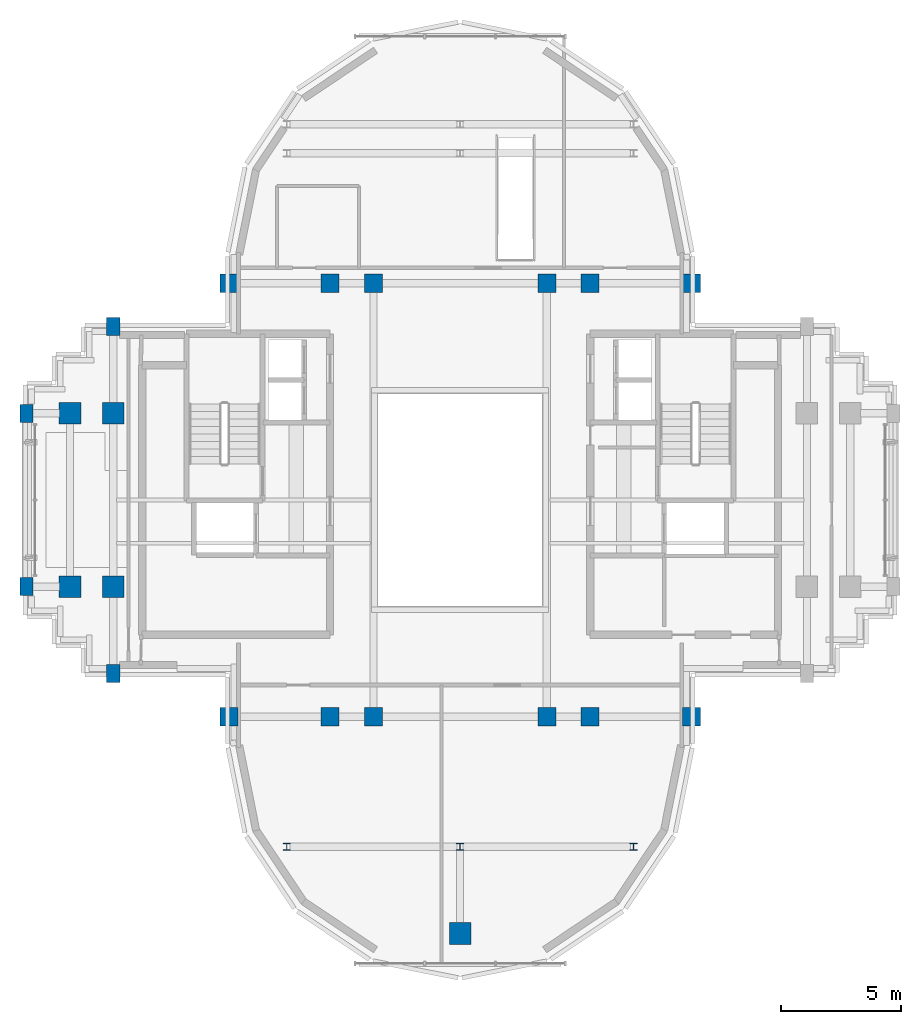
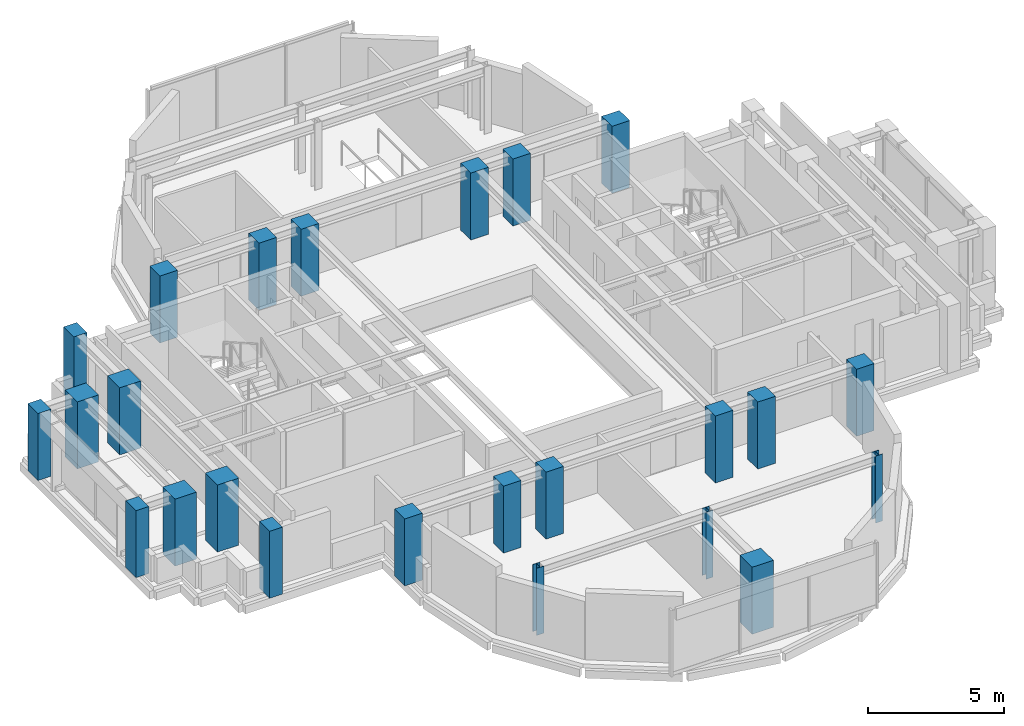
# One storey, part 1 of 12: 24 columns.
"""IFC4 building model written with IfcOpenShell, lengths in metres."""

from ifc_helpers import new_model, si_unit, direction, frame, origin, origin_2d, place, context, subcontext, project, spatial, rectangle, i_section, extrude, source, transform, mapped, material, material_profile, profile_set, type_object, element, save


model = new_model("IFC4")

# Units and contexts
model_context = context("Model", 3, precision=1e-05, world=origin(), true_north=direction((0.0, 1.0)))
body_context = subcontext(model_context, "Body", "Model", "MODEL_VIEW")
ifc_project = project(units=[si_unit("LENGTHUNIT", "METRE"), si_unit("AREAUNIT", "SQUARE_METRE"), si_unit("VOLUMEUNIT", "CUBIC_METRE"), si_unit("PLANEANGLEUNIT", "RADIAN"), si_unit("MASSUNIT", "GRAM", prefix="KILO")], contexts=[model_context])

# Site, building, storey
site_placement = place(None, origin())
site = spatial("IfcSite", under=ifc_project, at=site_placement, CompositionType="ELEMENT")
building_placement = place(site_placement, origin())
building = spatial("IfcBuilding", under=site, at=building_placement, Name="Keilestroom Media Tower", CompositionType="ELEMENT")
storey_placement = place(building_placement, frame((0.0, 0.0, 233.199951171875)))
storey = spatial("IfcBuildingStorey", under=building, at=storey_placement, Name="L64", CompositionType="ELEMENT", Elevation=233.199951171875)

# Columns
ifc_material_1 = material(Name="Precast concrete C40/50", Category="concrete")
ifc_material_profile_1 = material_profile(ifc_material_1, rectangle(XDim=0.550048828125, YDim=0.75, at=origin_2d()), Name="PC 750x550")
ifc_profile_set_1 = profile_set([ifc_material_profile_1], Name="Precast concrete C40/50")
column_type_1 = type_object("IfcColumnType", Name="Structural-Column-PC-750x550", PredefinedType="COLUMN", material=ifc_profile_set_1)
shared_shape_1 = source(origin(), body_context, "Body", "SweptSolid", [
    extrude(rectangle(XDim=0.550048828125, YDim=0.75, at=origin_2d()), origin(), (0.0, 0.0, 1.0), 3.010009765625),
])
for number, where, z_axis, x_axis, name in (
    (1, (-18.0, -3.60009765625, 0.0), (0.0, 0.0, 1.0), (1.0, 0.0, 0.0), "L64 Column PC-3 (-18.0,-3.6)"),
    (2, (-18.0, 3.60009765625, 0.0), (0.0, 0.0, 1.0), (1.0, 0.0, 0.0), "L64 Column PC-3 (-18.0,+3.6)"),
    (3, (-14.39990234375, -7.199951171875, 0.0), (0.0, 0.0, 1.0), (1.0, 0.0, 0.0), "L64 Column PC-3 (-14.4,-7.2)"),
    (4, (-14.39990234375, 7.199951171875, 0.0), (0.0, 0.0, 1.0), (1.0, 0.0, 0.0), "L64 Column PC-3 (-14.4,+7.2)"),
):
    element("IfcColumn", number, at=place(storey_placement, frame(where, z_axis=z_axis, x_axis=x_axis)), inside=storey, type_object=column_type_1, Name=name, PredefinedType="COLUMN", context=body_context, shape_type="MappedRepresentation", body=[
        mapped(shared_shape_1, transform((0.0, 0.0, 0.0), x_axis=(1.0, 0.0, 0.0), y_axis=(0.0, 1.0, 0.0), z_axis=(0.0, 0.0, 1.0), scale=1.0)),
    ])
ifc_material_2 = material(Name="Concrete C55/67", Category="concrete")
ifc_material_profile_2 = material_profile(ifc_material_2, rectangle(XDim=0.89990234375, YDim=0.89990234375, at=origin_2d()), Name="RC 900x900")
ifc_profile_set_2 = profile_set([ifc_material_profile_2], Name="Concrete C55/67")
column_type_2 = type_object("IfcColumnType", Name="Structural-Column-RC-900x900", PredefinedType="COLUMN", material=ifc_profile_set_2)
shared_shape_2 = source(origin(), body_context, "Body", "SweptSolid", [
    extrude(rectangle(XDim=0.89990234375, YDim=0.89990234375, at=origin_2d()), origin(), (0.0, 0.0, 1.0), 3.010009765625),
])
for number, where, z_axis, x_axis, name in (
    (5, (-16.199951171875, -3.60009765625, 0.0), (0.0, 0.0, 1.0), (1.0, 0.0, 0.0), "L64 Column MC-4 (-16.2,-3.6)"),
    (6, (-16.199951171875, 3.60009765625, 0.0), (0.0, 0.0, 1.0), (1.0, 0.0, 0.0), "L64 Column MC-4 (-16.2,+3.6)"),
    (7, (-14.39990234375, -3.60009765625, 0.0), (0.0, 0.0, 1.0), (1.0, 0.0, 0.0), "L64 Column MC-4 (-14.4,-3.6)"),
    (8, (-14.39990234375, 3.60009765625, 0.0), (0.0, 0.0, 1.0), (1.0, 0.0, 0.0), "L64 Column MC-4 (-14.4,+3.6)"),
    (9, (0.0, -18.0, 0.0), (0.0, 0.0, 1.0), (1.0, 0.0, 0.0), "L64 Column MC-4 (+0.0,-18.0)"),
):
    element("IfcColumn", number, at=place(storey_placement, frame(where, z_axis=z_axis, x_axis=x_axis)), inside=storey, type_object=column_type_2, Name=name, PredefinedType="COLUMN", context=body_context, shape_type="MappedRepresentation", body=[
        mapped(shared_shape_2, transform((0.0, 0.0, 0.0), x_axis=(1.0, 0.0, 0.0), y_axis=(0.0, 1.0, 0.0), z_axis=(0.0, 0.0, 1.0), scale=1.0)),
    ])
ifc_material_3 = material(Name="Concrete C50/60", Category="concrete")
ifc_material_profile_3 = material_profile(ifc_material_3, rectangle(XDim=0.75, YDim=0.75, at=origin_2d()), Name="RC 750x750")
ifc_profile_set_3 = profile_set([ifc_material_profile_3], Name="Concrete C50/60")
column_type_3 = type_object("IfcColumnType", Name="Structural-Column-RC-750x750", PredefinedType="COLUMN", material=ifc_profile_set_3)
shared_shape_3 = source(origin(), body_context, "Body", "SweptSolid", [
    extrude(rectangle(XDim=0.75, YDim=0.75, at=origin_2d()), origin(), (0.0, 0.0, 1.0), 3.010009765625),
])
for number, where, z_axis, x_axis, name in (
    (10, (-9.60009765625, -9.0, 0.0), (0.0, 0.0, 1.0), (1.0, 0.0, 0.0), "L64 Column MC-5 (-9.6,-9.0)"),
    (11, (-9.60009765625, 9.0, 0.0), (0.0, 0.0, 1.0), (1.0, 0.0, 0.0), "L64 Column MC-5 (-9.6,+9.0)"),
    (12, (-5.39990234375, -9.0, 0.0), (0.0, 0.0, 1.0), (1.0, 0.0, 0.0), "L64 Column MC-5 (-5.4,-9.0)"),
    (13, (-5.39990234375, 9.0, 0.0), (0.0, 0.0, 1.0), (1.0, 0.0, 0.0), "L64 Column MC-5 (-5.4,+9.0)"),
    (14, (-3.60009765625, -9.0, 0.0), (0.0, 0.0, 1.0), (1.0, 0.0, 0.0), "L64 Column MC-5 (-3.6,-9.0)"),
    (15, (-3.60009765625, 9.0, 0.0), (0.0, 0.0, 1.0), (1.0, 0.0, 0.0), "L64 Column MC-5 (-3.6,+9.0)"),
    (16, (3.60009765625, -9.0, 0.0), (0.0, 0.0, 1.0), (1.0, 0.0, 0.0), "L64 Column MC-5 (+3.6,-9.0)"),
    (17, (3.60009765625, 9.0, 0.0), (0.0, 0.0, 1.0), (1.0, 0.0, 0.0), "L64 Column MC-5 (+3.6,+9.0)"),
    (18, (5.39990234375, -9.0, 0.0), (0.0, 0.0, 1.0), (1.0, 0.0, 0.0), "L64 Column MC-5 (+5.4,-9.0)"),
    (19, (5.39990234375, 9.0, 0.0), (0.0, 0.0, 1.0), (1.0, 0.0, 0.0), "L64 Column MC-5 (+5.4,+9.0)"),
    (20, (9.60009765625, -9.0, 0.0), (0.0, 0.0, 1.0), (1.0, 0.0, 0.0), "L64 Column MC-5 (+9.6,-9.0)"),
    (21, (9.60009765625, 9.0, 0.0), (0.0, 0.0, 1.0), (1.0, 0.0, 0.0), "L64 Column MC-5 (+9.6,+9.0)"),
):
    element("IfcColumn", number, at=place(storey_placement, frame(where, z_axis=z_axis, x_axis=x_axis)), inside=storey, type_object=column_type_3, Name=name, PredefinedType="COLUMN", context=body_context, shape_type="MappedRepresentation", body=[
        mapped(shared_shape_3, transform((0.0, 0.0, 0.0), x_axis=(1.0, 0.0, 0.0), y_axis=(0.0, 1.0, 0.0), z_axis=(0.0, 0.0, 1.0), scale=1.0)),
    ])
ifc_material_4 = material(Name="Steel S355", Category="steel")
ifc_material_profile_4 = material_profile(ifc_material_4, i_section(OverallWidth=0.300048828125, OverallDepth=0.300048828125, WebThickness=0.010986328125, FlangeThickness=0.01904296875, at=origin_2d()), Name="HEB 300")
ifc_profile_set_4 = profile_set([ifc_material_profile_4], Name="Steel S355")
column_type_4 = type_object("IfcColumnType", Name="Structural-Column-HEB-300", PredefinedType="COLUMN", material=ifc_profile_set_4)
shared_shape_4 = source(origin(), body_context, "Body", "SweptSolid", [
    extrude(i_section(OverallWidth=0.300048828125, OverallDepth=0.300048828125, WebThickness=0.010986328125, FlangeThickness=0.01904296875, at=origin_2d()), origin(), (0.0, 0.0, 1.0), 3.010009765625),
])
for number, where, z_axis, x_axis, name in (
    (22, (-7.199951171875, -14.39990234375, 0.0), (0.0, 0.0, 1.0), (1.0, 0.0, 0.0), "L64 Column SC-5 (-7.2,-14.4)"),
    (23, (0.0, -14.39990234375, 0.0), (0.0, 0.0, 1.0), (1.0, 0.0, 0.0), "L64 Column SC-5 (+0.0,-14.4)"),
    (24, (7.199951171875, -14.39990234375, 0.0), (0.0, 0.0, 1.0), (1.0, 0.0, 0.0), "L64 Column SC-5 (+7.2,-14.4)"),
):
    element("IfcColumn", number, at=place(storey_placement, frame(where, z_axis=z_axis, x_axis=x_axis)), inside=storey, type_object=column_type_4, Name=name, PredefinedType="COLUMN", context=body_context, shape_type="MappedRepresentation", body=[
        mapped(shared_shape_4, transform((0.0, 0.0, 0.0), x_axis=(1.0, 0.0, 0.0), y_axis=(0.0, 1.0, 0.0), z_axis=(0.0, 0.0, 1.0), scale=1.0)),
    ])

save(model, "model.ifc")
